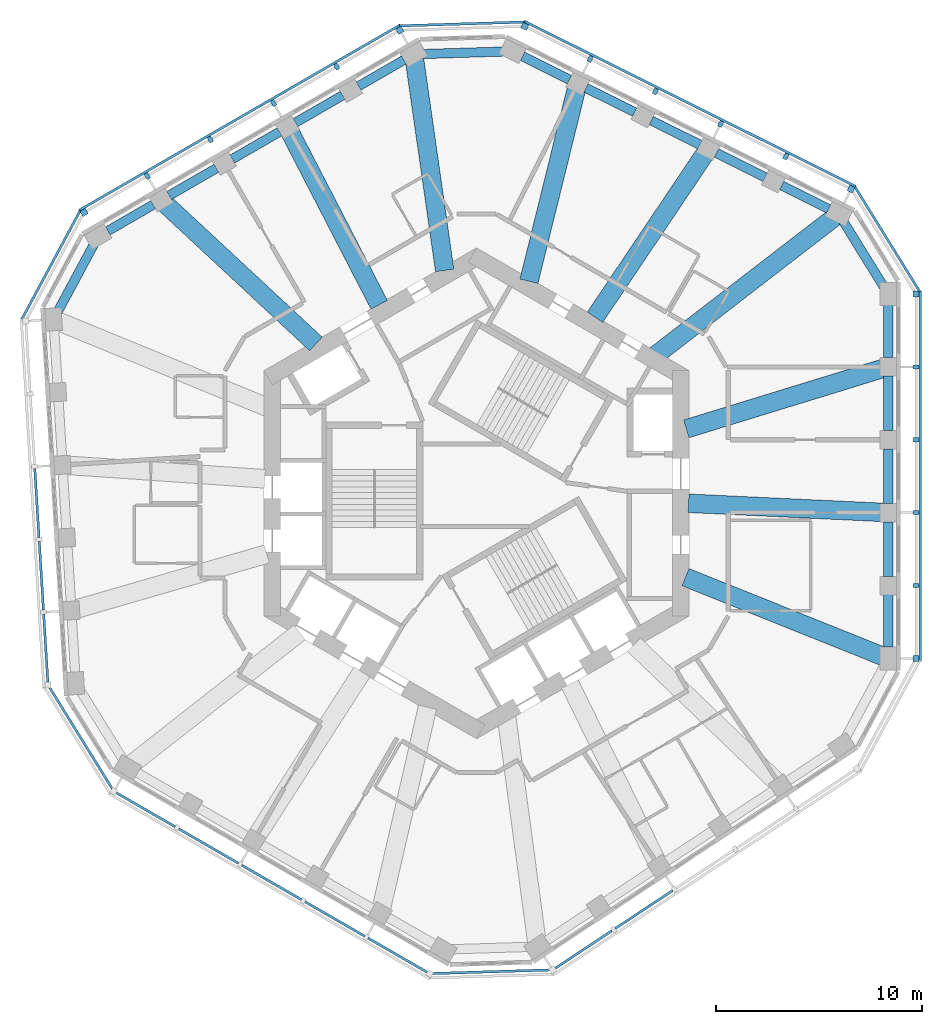
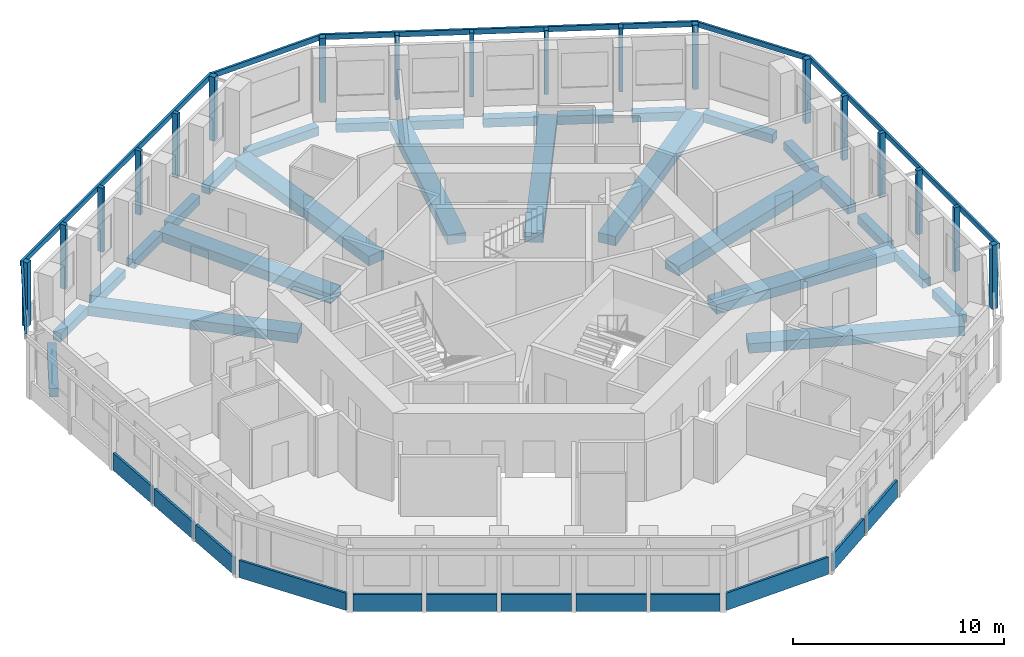
# One storey, part 2 of 11: 27 beams, 24 members, 12 plates, 11 elements without a shape of their own.
"""IFC4 building model written with IfcOpenShell, lengths in metres."""

from ifc_helpers import new_model, si_unit, direction, frame, origin, origin_2d, place, context, subcontext, project, spatial, rectangle, extrude, material, layer, layer_set, material_profile, profile_set, type_object, element, aggregate, save


model = new_model("IFC4")

# Units and contexts
model_context = context("Model", 3, precision=1e-05, world=origin(), true_north=direction((0.0, 1.0)))
body_context = subcontext(model_context, "Body", "Model", "MODEL_VIEW")
ifc_project = project(units=[si_unit("LENGTHUNIT", "METRE"), si_unit("AREAUNIT", "SQUARE_METRE"), si_unit("VOLUMEUNIT", "CUBIC_METRE"), si_unit("PLANEANGLEUNIT", "RADIAN"), si_unit("MASSUNIT", "GRAM", prefix="KILO")], contexts=[model_context])

# Site, building, storey
site_placement = place(None, origin())
site = spatial("IfcSite", under=ifc_project, at=site_placement, CompositionType="ELEMENT")
building_placement = place(site_placement, origin())
building = spatial("IfcBuilding", under=site, at=building_placement, Name="Vanh Sen Convention Tower", CompositionType="ELEMENT")
storey_placement = place(building_placement, frame((0.0, 0.0, 240.199951171875)))
storey = spatial("IfcBuildingStorey", under=building, at=storey_placement, Name="L59", CompositionType="ELEMENT", Elevation=240.199951171875)

# Curtain wall, members
ifc_material_1 = material(Name="Concrete C50/60", Category="concrete")
curtain_wall_type = type_object("IfcCurtainWallType", Name="Outer skin office zone", PredefinedType="NOTDEFINED", material=ifc_material_1)
curtain_wall_1_placement = place(storey_placement, origin())
curtain_wall_1 = element("IfcCurtainWall", 1, at=curtain_wall_1_placement, inside=storey, type_object=curtain_wall_type, Name="OUTER SKIN E L59", PredefinedType="NOTDEFINED")
ifc_material_profile_1 = material_profile(ifc_material_1, rectangle(XDim=0.300048828125, YDim=0.300048828125, at=origin_2d()), Name="Outer skin precast corner fin 300 x 300")
ifc_profile_set_1 = profile_set([ifc_material_profile_1], Name="Concrete C50/60")
member_type_1 = type_object("IfcMemberType", Name="Outer skin precast corner fin 300 x 300", PredefinedType="MULLION", material=ifc_profile_set_1)
member_1_placement = place(storey_placement, frame((21.300048828125, -8.002685546875, 0.0), z_axis=(0.0, 0.0, 1.0), x_axis=(0.0, 1.0, 0.0)))
member_1 = element("IfcMember", 2, at=member_1_placement, type_object=member_type_1, Name="OUTER SKIN CORNER FIN 1 E L59", PredefinedType="MULLION", context=body_context, shape_type="SweptSolid", body=[
    extrude(rectangle(XDim=0.300048828125, YDim=0.300048828125, at=origin_2d()), origin(), (0.0, 0.0, 1.0), 3.699951171875),
])
member_2_placement = place(storey_placement, frame((21.300048828125, 9.665283203125, 0.0), z_axis=(0.0, 0.0, 1.0), x_axis=(0.0, 1.0, 0.0)))
member_2 = element("IfcMember", 3, at=member_2_placement, type_object=member_type_1, Name="OUTER SKIN CORNER FIN 6 E L59", PredefinedType="MULLION", context=body_context, shape_type="SweptSolid", body=[
    extrude(rectangle(XDim=0.300048828125, YDim=0.300048828125, at=origin_2d()), origin(), (0.0, 0.0, 1.0), 3.699951171875),
])

curtain_wall_2_placement = place(storey_placement, origin())
curtain_wall_2 = element("IfcCurtainWall", 4, at=curtain_wall_2_placement, inside=storey, type_object=curtain_wall_type, Name="OUTER SKIN NE L59", PredefinedType="NOTDEFINED")
member_3_placement = place(storey_placement, frame((18.15380859375, 14.74951171875, 0.0), z_axis=(0.0, 0.0, 1.0), x_axis=(-0.894934361602, 0.44619781311, 0.0)))
member_3 = element("IfcMember", 5, at=member_3_placement, type_object=member_type_1, Name="OUTER SKIN CORNER FIN 1 NE L59", PredefinedType="MULLION", context=body_context, shape_type="SweptSolid", body=[
    extrude(rectangle(XDim=0.300048828125, YDim=0.300048828125, at=origin_2d()), origin(), (0.0, 0.0, 1.0), 3.699951171875),
])
member_4_placement = place(storey_placement, frame((2.342041015625, 22.633056640625, 0.0), z_axis=(0.0, 0.0, 1.0), x_axis=(-0.894934361602, 0.44619781311, 0.0)))
member_4 = element("IfcMember", 6, at=member_4_placement, type_object=member_type_1, Name="OUTER SKIN CORNER FIN 6 NE L59", PredefinedType="MULLION", context=body_context, shape_type="SweptSolid", body=[
    extrude(rectangle(XDim=0.300048828125, YDim=0.300048828125, at=origin_2d()), origin(), (0.0, 0.0, 1.0), 3.699951171875),
])

curtain_wall_3_placement = place(storey_placement, origin())
curtain_wall_3 = element("IfcCurtainWall", 7, at=curtain_wall_3_placement, inside=storey, type_object=curtain_wall_type, Name="OUTER SKIN NW L59", PredefinedType="NOTDEFINED")
member_5_placement = place(storey_placement, frame((-3.719482421875, 22.44775390625, 0.0), z_axis=(0.0, 0.0, 1.0), x_axis=(-0.866025403784, -0.5, 0.0)))
member_5 = element("IfcMember", 8, at=member_5_placement, type_object=member_type_1, Name="OUTER SKIN CORNER FIN 1 NW L59", PredefinedType="MULLION", context=body_context, shape_type="SweptSolid", body=[
    extrude(rectangle(XDim=0.300048828125, YDim=0.300048828125, at=origin_2d()), origin(), (0.0, 0.0, 1.0), 3.699951171875),
])
member_6_placement = place(storey_placement, frame((-19.0205078125, 13.613525390625, 0.0), z_axis=(0.0, 0.0, 1.0), x_axis=(-0.866025403784, -0.5, 0.0)))
member_6 = element("IfcMember", 9, at=member_6_placement, type_object=member_type_1, Name="OUTER SKIN CORNER FIN 6 NW L59", PredefinedType="MULLION", context=body_context, shape_type="SweptSolid", body=[
    extrude(rectangle(XDim=0.300048828125, YDim=0.300048828125, at=origin_2d()), origin(), (0.0, 0.0, 1.0), 3.699951171875),
])

# Member
ifc_material_profile_2 = material_profile(ifc_material_1, rectangle(XDim=0.199951171875, YDim=0.300048828125, at=origin_2d()), Name="Outer skin precast fin 200 x 300")
ifc_profile_set_2 = profile_set([ifc_material_profile_2], Name="Concrete C50/60")
member_type_2 = type_object("IfcMemberType", Name="Outer skin precast fin 200 x 300", PredefinedType="MULLION", material=ifc_profile_set_2)
member_7_placement = place(storey_placement, frame((21.300048828125, -4.46923828125, 0.0), z_axis=(0.0, 0.0, 1.0), x_axis=(0.0, 1.0, 0.0)))
member_7 = element("IfcMember", 10, at=member_7_placement, type_object=member_type_2, Name="OUTER SKIN fin 2 E L59", PredefinedType="MULLION", context=body_context, shape_type="SweptSolid", body=[
    extrude(rectangle(XDim=0.199951171875, YDim=0.300048828125, at=origin_2d()), origin(), (0.0, 0.0, 1.0), 3.699951171875),
])

member_8_placement = place(storey_placement, frame((21.300048828125, -0.935546875, 0.0), z_axis=(0.0, 0.0, 1.0), x_axis=(0.0, 1.0, 0.0)))
member_8 = element("IfcMember", 11, at=member_8_placement, type_object=member_type_2, Name="OUTER SKIN fin 3 E L59", PredefinedType="MULLION", context=body_context, shape_type="SweptSolid", body=[
    extrude(rectangle(XDim=0.199951171875, YDim=0.300048828125, at=origin_2d()), origin(), (0.0, 0.0, 1.0), 3.699951171875),
])

member_9_placement = place(storey_placement, frame((21.300048828125, 2.59814453125, 0.0), z_axis=(0.0, 0.0, 1.0), x_axis=(0.0, 1.0, 0.0)))
member_9 = element("IfcMember", 12, at=member_9_placement, type_object=member_type_2, Name="OUTER SKIN fin 4 E L59", PredefinedType="MULLION", context=body_context, shape_type="SweptSolid", body=[
    extrude(rectangle(XDim=0.199951171875, YDim=0.300048828125, at=origin_2d()), origin(), (0.0, 0.0, 1.0), 3.699951171875),
])

member_10_placement = place(storey_placement, frame((21.300048828125, 6.131591796875, 0.0), z_axis=(0.0, 0.0, 1.0), x_axis=(0.0, 1.0, 0.0)))
member_10 = element("IfcMember", 13, at=member_10_placement, type_object=member_type_2, Name="OUTER SKIN fin 5 E L59", PredefinedType="MULLION", context=body_context, shape_type="SweptSolid", body=[
    extrude(rectangle(XDim=0.199951171875, YDim=0.300048828125, at=origin_2d()), origin(), (0.0, 0.0, 1.0), 3.699951171875),
])

member_11_placement = place(storey_placement, frame((14.99169921875, 16.326171875, 0.0), z_axis=(0.0, 0.0, 1.0), x_axis=(-0.894934361602, 0.44619781311, 0.0)))
member_11 = element("IfcMember", 14, at=member_11_placement, type_object=member_type_2, Name="OUTER SKIN fin 2 NE L59", PredefinedType="MULLION", context=body_context, shape_type="SweptSolid", body=[
    extrude(rectangle(XDim=0.199951171875, YDim=0.300048828125, at=origin_2d()), origin(), (0.0, 0.0, 1.0), 3.699951171875),
])

member_12_placement = place(storey_placement, frame((11.8291015625, 17.90283203125, 0.0), z_axis=(0.0, 0.0, 1.0), x_axis=(-0.894934361602, 0.44619781311, 0.0)))
member_12 = element("IfcMember", 15, at=member_12_placement, type_object=member_type_2, Name="OUTER SKIN fin 3 NE L59", PredefinedType="MULLION", context=body_context, shape_type="SweptSolid", body=[
    extrude(rectangle(XDim=0.199951171875, YDim=0.300048828125, at=origin_2d()), origin(), (0.0, 0.0, 1.0), 3.699951171875),
])

member_13_placement = place(storey_placement, frame((8.666748046875, 19.4794921875, 0.0), z_axis=(0.0, 0.0, 1.0), x_axis=(-0.894934361602, 0.44619781311, 0.0)))
member_13 = element("IfcMember", 16, at=member_13_placement, type_object=member_type_2, Name="OUTER SKIN fin 4 NE L59", PredefinedType="MULLION", context=body_context, shape_type="SweptSolid", body=[
    extrude(rectangle(XDim=0.199951171875, YDim=0.300048828125, at=origin_2d()), origin(), (0.0, 0.0, 1.0), 3.699951171875),
])

member_14_placement = place(storey_placement, frame((5.50439453125, 21.056396484375, 0.0), z_axis=(0.0, 0.0, 1.0), x_axis=(-0.894934361602, 0.44619781311, 0.0)))
member_14 = element("IfcMember", 17, at=member_14_placement, type_object=member_type_2, Name="OUTER SKIN fin 5 NE L59", PredefinedType="MULLION", context=body_context, shape_type="SweptSolid", body=[
    extrude(rectangle(XDim=0.199951171875, YDim=0.300048828125, at=origin_2d()), origin(), (0.0, 0.0, 1.0), 3.699951171875),
])

member_15_placement = place(storey_placement, frame((-6.779541015625, 20.680908203125, 0.0), z_axis=(0.0, 0.0, 1.0), x_axis=(-0.866025403784, -0.5, 0.0)))
member_15 = element("IfcMember", 18, at=member_15_placement, type_object=member_type_2, Name="OUTER SKIN fin 2 NW L59", PredefinedType="MULLION", context=body_context, shape_type="SweptSolid", body=[
    extrude(rectangle(XDim=0.199951171875, YDim=0.300048828125, at=origin_2d()), origin(), (0.0, 0.0, 1.0), 3.699951171875),
])

member_16_placement = place(storey_placement, frame((-9.83984375, 18.9140625, 0.0), z_axis=(0.0, 0.0, 1.0), x_axis=(-0.866025403784, -0.5, 0.0)))
member_16 = element("IfcMember", 19, at=member_16_placement, type_object=member_type_2, Name="OUTER SKIN fin 3 NW L59", PredefinedType="MULLION", context=body_context, shape_type="SweptSolid", body=[
    extrude(rectangle(XDim=0.199951171875, YDim=0.300048828125, at=origin_2d()), origin(), (0.0, 0.0, 1.0), 3.699951171875),
])

member_17_placement = place(storey_placement, frame((-12.89990234375, 17.147216796875, 0.0), z_axis=(0.0, 0.0, 1.0), x_axis=(-0.866025403784, -0.5, 0.0)))
member_17 = element("IfcMember", 20, at=member_17_placement, type_object=member_type_2, Name="OUTER SKIN fin 4 NW L59", PredefinedType="MULLION", context=body_context, shape_type="SweptSolid", body=[
    extrude(rectangle(XDim=0.199951171875, YDim=0.300048828125, at=origin_2d()), origin(), (0.0, 0.0, 1.0), 3.699951171875),
])

member_18_placement = place(storey_placement, frame((-15.960205078125, 15.38037109375, 0.0), z_axis=(0.0, 0.0, 1.0), x_axis=(-0.866025403784, -0.5, 0.0)))
member_18 = element("IfcMember", 21, at=member_18_placement, type_object=member_type_2, Name="OUTER SKIN fin 5 NW L59", PredefinedType="MULLION", context=body_context, shape_type="SweptSolid", body=[
    extrude(rectangle(XDim=0.199951171875, YDim=0.300048828125, at=origin_2d()), origin(), (0.0, 0.0, 1.0), 3.699951171875),
])

ifc_material_profile_3 = material_profile(ifc_material_1, rectangle(XDim=0.1201171875, YDim=0.300048828125, at=origin_2d()), Name="Outer skin precast spandrel band 300 x 120")
ifc_profile_set_3 = profile_set([ifc_material_profile_3], Name="Concrete C50/60")
member_type_3 = type_object("IfcMemberType", Name="Outer skin precast spandrel band 300 x 120", PredefinedType="USERDEFINED", material=ifc_profile_set_3)
member_19_placement = place(storey_placement, frame((21.510009765625, -8.15283203125, 3.550048828125), z_axis=(0.0, 1.0, 0.0), x_axis=(-1.0, 0.0, 0.0)))
member_19 = element("IfcMember", 22, at=member_19_placement, type_object=member_type_3, Name="OUTER SKIN spandrel band E L59", ObjectType="TRANSOM", PredefinedType="USERDEFINED", context=body_context, shape_type="SweptSolid", body=[
    extrude(rectangle(XDim=0.1201171875, YDim=0.300048828125, at=origin_2d()), origin(), (0.0, 0.0, 1.0), 17.96826171875),
])

aggregate(curtain_wall_1, [member_1, member_7, member_8, member_9, member_10, member_2, member_19])

# Curtain wall, member
curtain_wall_4_placement = place(storey_placement, origin())
curtain_wall_4 = element("IfcCurtainWall", 23, at=curtain_wall_4_placement, inside=storey, type_object=curtain_wall_type, Name="OUTER SKIN CH1 L59", PredefinedType="NOTDEFINED")
member_20_placement = place(storey_placement, frame((21.478515625, 9.77587890625, 3.550048828125), z_axis=(-0.526187318786, 0.850368688011, 0.0), x_axis=(-0.850368688011, -0.526187318786, 0.0)))
member_20 = element("IfcMember", 24, at=member_20_placement, type_object=member_type_3, Name="OUTER SKIN spandrel band CH1 L59", ObjectType="TRANSOM", PredefinedType="USERDEFINED", context=body_context, shape_type="SweptSolid", body=[
    extrude(rectangle(XDim=0.1201171875, YDim=0.300048828125, at=origin_2d()), origin(), (0.0, 0.0, 1.0), 5.978759765625),
])
aggregate(curtain_wall_4, [member_20])

# Member
member_21_placement = place(storey_placement, frame((18.3818359375, 14.87060546875, 3.550048828125), z_axis=(-0.894940208367, 0.446186086121, 0.0), x_axis=(-0.446186086121, -0.894940208367, 0.0)))
member_21 = element("IfcMember", 25, at=member_21_placement, type_object=member_type_3, Name="OUTER SKIN spandrel band NE L59", ObjectType="TRANSOM", PredefinedType="USERDEFINED", context=body_context, shape_type="SweptSolid", body=[
    extrude(rectangle(XDim=0.1201171875, YDim=0.300048828125, at=origin_2d()), origin(), (0.0, 0.0, 1.0), 17.968017578125),
])

aggregate(curtain_wall_2, [member_3, member_11, member_12, member_13, member_14, member_4, member_21])

# Curtain wall, member
curtain_wall_5_placement = place(storey_placement, origin())
curtain_wall_5 = element("IfcCurtainWall", 26, at=curtain_wall_5_placement, inside=storey, type_object=curtain_wall_type, Name="OUTER SKIN CH2 L59", PredefinedType="NOTDEFINED")
member_22_placement = place(storey_placement, frame((2.335693359375, 22.843017578125, 3.550048828125), z_axis=(-0.999533054911, -0.030556049165, 0.0), x_axis=(0.030556049165, -0.999533054911, 0.0)))
member_22 = element("IfcMember", 27, at=member_22_placement, type_object=member_type_3, Name="OUTER SKIN spandrel band CH2 L59", ObjectType="TRANSOM", PredefinedType="USERDEFINED", context=body_context, shape_type="SweptSolid", body=[
    extrude(rectangle(XDim=0.1201171875, YDim=0.300048828125, at=origin_2d()), origin(), (0.0, 0.0, 1.0), 6.064453125),
])
aggregate(curtain_wall_5, [member_22])

# Member
member_23_placement = place(storey_placement, frame((-3.694580078125, 22.70458984375, 3.550048828125), z_axis=(-0.866022898019, -0.500004340088, 0.0), x_axis=(0.500004340088, -0.866022898019, 0.0)))
member_23 = element("IfcMember", 28, at=member_23_placement, type_object=member_type_3, Name="OUTER SKIN spandrel band NW L59", ObjectType="TRANSOM", PredefinedType="USERDEFINED", context=body_context, shape_type="SweptSolid", body=[
    extrude(rectangle(XDim=0.1201171875, YDim=0.300048828125, at=origin_2d()), origin(), (0.0, 0.0, 1.0), 17.968017578125),
])

aggregate(curtain_wall_3, [member_5, member_15, member_16, member_17, member_18, member_6, member_23])

# Curtain wall, member
curtain_wall_6_placement = place(storey_placement, origin())
curtain_wall_6 = element("IfcCurtainWall", 29, at=curtain_wall_6_placement, inside=storey, type_object=curtain_wall_type, Name="OUTER SKIN CH3 L59", PredefinedType="NOTDEFINED")
member_24_placement = place(storey_placement, frame((-19.20556640625, 13.712890625, 3.550048828125), z_axis=(-0.473317965247, -0.880891652688, 0.0), x_axis=(0.880891652688, -0.473317965247, 0.0)))
member_24 = element("IfcMember", 30, at=member_24_placement, type_object=member_type_3, Name="OUTER SKIN spandrel band CH3 L59", ObjectType="TRANSOM", PredefinedType="USERDEFINED", context=body_context, shape_type="SweptSolid", body=[
    extrude(rectangle(XDim=0.1201171875, YDim=0.300048828125, at=origin_2d()), origin(), (0.0, 0.0, 1.0), 5.978759765625),
])
aggregate(curtain_wall_6, [member_24])

# Beams
ifc_material_2 = material(Name="Concrete C50/60", Category="concrete")
ifc_material_profile_4 = material_profile(ifc_material_2, rectangle(XDim=0.89990234375, YDim=0.550048828125, at=origin_2d()), Name="RC 900X550")
ifc_profile_set_4 = profile_set([ifc_material_profile_4], Name="Concrete C50/60")
beam_type_1 = type_object("IfcBeamType", Name="Radial floor beam 900 x 550", PredefinedType="BEAM", material=ifc_profile_set_4)
beam_1_placement = place(storey_placement, frame((19.72216796875, -7.911376953125, -0.554931640625), z_axis=(-0.928114670257, 0.372294451816, 0.0), x_axis=(-0.372294451816, -0.928114670257, 0.0)))
element("IfcBeam", 31, at=beam_1_placement, inside=storey, type_object=beam_type_1, Name="Radial beam 01 L59", PredefinedType="BEAM", context=body_context, shape_type="SweptSolid", body=[
    extrude(rectangle(XDim=0.89990234375, YDim=0.550048828125, at=origin_2d()), origin(), (0.0, 0.0, 1.0), 10.337646484375),
])
beam_2_placement = place(storey_placement, frame((19.944580078125, -0.935302734375, -0.554931640625), z_axis=(-0.998901717951, 0.046854646233, 0.0), x_axis=(-0.046854646233, -0.998901717951, 0.0)))
element("IfcBeam", 32, at=beam_2_placement, inside=storey, type_object=beam_type_1, Name="Radial beam 02 L59", PredefinedType="BEAM", context=body_context, shape_type="SweptSolid", body=[
    extrude(rectangle(XDim=0.89990234375, YDim=0.550048828125, at=origin_2d()), origin(), (0.0, 0.0, 1.0), 9.681396484375),
])
beam_3_placement = place(storey_placement, frame((19.89013671875, 6.11328125, -0.554931640625), z_axis=(-0.955867150523, -0.293799235111, 0.0), x_axis=(0.293799235111, -0.955867150523, 0.0)))
element("IfcBeam", 33, at=beam_3_placement, inside=storey, type_object=beam_type_1, Name="Radial beam 03 L59", PredefinedType="BEAM", context=body_context, shape_type="SweptSolid", body=[
    extrude(rectangle(XDim=0.89990234375, YDim=0.550048828125, at=origin_2d()), origin(), (0.0, 0.0, 1.0), 10.17626953125),
])
beam_4_placement = place(storey_placement, frame((17.376220703125, 13.406005859375, -0.554931640625), z_axis=(-0.79175189304, -0.610842811096, 0.0), x_axis=(0.610842811096, -0.79175189304, 0.0)))
element("IfcBeam", 34, at=beam_4_placement, inside=storey, type_object=beam_type_1, Name="Radial beam 04 L59", PredefinedType="BEAM", context=body_context, shape_type="SweptSolid", body=[
    extrude(rectangle(XDim=0.89990234375, YDim=0.550048828125, at=origin_2d()), origin(), (0.0, 0.0, 1.0), 11.0),
])
beam_5_placement = place(storey_placement, frame((11.21337890625, 16.6748046875, -0.554931640625), z_axis=(-0.558028035839, -0.829822096125, 0.0), x_axis=(0.829822096125, -0.558028035839, 0.0)))
element("IfcBeam", 35, at=beam_5_placement, inside=storey, type_object=beam_type_1, Name="Radial beam 05 L59", PredefinedType="BEAM", context=body_context, shape_type="SweptSolid", body=[
    extrude(rectangle(XDim=0.89990234375, YDim=0.550048828125, at=origin_2d()), origin(), (0.0, 0.0, 1.0), 9.80615234375),
])
beam_6_placement = place(storey_placement, frame((4.891357421875, 19.8046875, -0.554931640625), z_axis=(-0.239789122055, -0.970824998104, 0.0), x_axis=(0.970824998104, -0.239789122055, 0.0)))
element("IfcBeam", 36, at=beam_6_placement, inside=storey, type_object=beam_type_1, Name="Radial beam 06 L59", PredefinedType="BEAM", context=body_context, shape_type="SweptSolid", body=[
    extrude(rectangle(XDim=0.89990234375, YDim=0.550048828125, at=origin_2d()), origin(), (0.0, 0.0, 1.0), 9.81298828125),
])
beam_7_placement = place(storey_placement, frame((-3.009521484375, 21.03564453125, -0.554931640625), z_axis=(0.141629652846, -0.989919714641, 0.0), x_axis=(0.989919714641, 0.141629652846, 0.0)))
element("IfcBeam", 37, at=beam_7_placement, inside=storey, type_object=beam_type_1, Name="Radial beam 07 L59", PredefinedType="BEAM", context=body_context, shape_type="SweptSolid", body=[
    extrude(rectangle(XDim=0.89990234375, YDim=0.550048828125, at=origin_2d()), origin(), (0.0, 0.0, 1.0), 10.337646484375),
])
beam_8_placement = place(storey_placement, frame((-9.162353515625, 17.740234375, -0.554931640625), z_axis=(0.458886355863, -0.888494970387, 0.0), x_axis=(0.888494970387, 0.458886355863, 0.0)))
element("IfcBeam", 38, at=beam_8_placement, inside=storey, type_object=beam_type_1, Name="Radial beam 08 L59", PredefinedType="BEAM", context=body_context, shape_type="SweptSolid", body=[
    extrude(rectangle(XDim=0.89990234375, YDim=0.550048828125, at=origin_2d()), origin(), (0.0, 0.0, 1.0), 9.681396484375),
])
beam_9_placement = place(storey_placement, frame((-15.239501953125, 14.168701171875, -0.554931640625), z_axis=(0.732368678004, -0.680908304751, 0.0), x_axis=(0.680908304751, 0.732368678004, 0.0)))
element("IfcBeam", 39, at=beam_9_placement, inside=storey, type_object=beam_type_1, Name="Radial beam 09 L59", PredefinedType="BEAM", context=body_context, shape_type="SweptSolid", body=[
    extrude(rectangle(XDim=0.89990234375, YDim=0.550048828125, at=origin_2d()), origin(), (0.0, 0.0, 1.0), 10.176513671875),
])
ifc_material_profile_5 = material_profile(ifc_material_2, rectangle(XDim=0.449951171875, YDim=0.5, at=origin_2d()), Name="RC 450X500")
ifc_profile_set_5 = profile_set([ifc_material_profile_5], Name="Concrete C50/60")
beam_type_2 = type_object("IfcBeamType", Name="Spandrel beam 450 x 500", PredefinedType="SPANDREL", material=ifc_profile_set_5)
beam_10_placement = place(storey_placement, frame((19.949951171875, -7.457763671875, -0.530029296875), z_axis=(0.0, 1.0, 0.0), x_axis=(-1.0, 0.0, 0.0)))
element("IfcBeam", 40, at=beam_10_placement, inside=storey, type_object=beam_type_2, Name="Spandrel beam 01 L59", PredefinedType="SPANDREL", context=body_context, shape_type="SweptSolid", body=[
    extrude(rectangle(XDim=0.449951171875, YDim=0.5, at=origin_2d()), origin(), (0.0, 0.0, 1.0), 2.54345703125),
])
for number, where, z_axis, x_axis, name in (
    (41, (19.949951171875, -4.024169921875, -0.530029296875), (0.0, 1.0, 0.0), (-1.0, 0.0, 0.0), "Spandrel beam 02 L59"),
    (42, (19.949951171875, -0.490478515625, -0.530029296875), (0.0, 1.0, 0.0), (-1.0, 0.0, 0.0), "Spandrel beam 03 L59"),
    (43, (19.949951171875, 3.043212890625, -0.530029296875), (0.0, 1.0, 0.0), (-1.0, 0.0, 0.0), "Spandrel beam 04 L59"),
):
    element("IfcBeam", number, at=place(storey_placement, frame(where, z_axis=z_axis, x_axis=x_axis)), inside=storey, type_object=beam_type_2, Name=name, PredefinedType="SPANDREL", context=body_context, shape_type="SweptSolid", body=[
        extrude(rectangle(XDim=0.449951171875, YDim=0.5, at=origin_2d()), origin(), (0.0, 0.0, 1.0), 2.6435546875),
    ])
beam_11_placement = place(storey_placement, frame((19.949951171875, 6.57666015625, -0.530029296875), z_axis=(0.0, 1.0, 0.0), x_axis=(-1.0, 0.0, 0.0)))
element("IfcBeam", 44, at=beam_11_placement, inside=storey, type_object=beam_type_2, Name="Spandrel beam 05 L59", PredefinedType="SPANDREL", context=body_context, shape_type="SweptSolid", body=[
    extrude(rectangle(XDim=0.449951171875, YDim=0.5, at=origin_2d()), origin(), (0.0, 0.0, 1.0), 2.543701171875),
])
beam_12_placement = place(storey_placement, frame((19.743896484375, 9.998291015625, -0.530029296875), z_axis=(-0.526203201027, 0.850358860264, 0.0), x_axis=(-0.850358860264, -0.526203201027, 0.0)))
element("IfcBeam", 45, at=beam_12_placement, inside=storey, type_object=beam_type_2, Name="Spandrel beam 06 L59", PredefinedType="SPANDREL", context=body_context, shape_type="SweptSolid", body=[
    extrude(rectangle(XDim=0.449951171875, YDim=0.5, at=origin_2d()), origin(), (0.0, 0.0, 1.0), 3.77490234375),
])
beam_13_placement = place(storey_placement, frame((17.063720703125, 13.784423828125, -0.530029296875), z_axis=(-0.894925734573, 0.446215115834, 0.0), x_axis=(-0.446215115834, -0.894925734573, 0.0)))
element("IfcBeam", 46, at=beam_13_placement, inside=storey, type_object=beam_type_2, Name="Spandrel beam 07 L59", PredefinedType="SPANDREL", context=body_context, shape_type="SweptSolid", body=[
    extrude(rectangle(XDim=0.449951171875, YDim=0.5, at=origin_2d()), origin(), (0.0, 0.0, 1.0), 2.543701171875),
])
for number, where, z_axis, x_axis, name in (
    (47, (13.990966796875, 15.31640625, -0.530029296875), (-0.894925303477, 0.446215980436, 0.0), (-0.446215980436, -0.894925303477, 0.0), "Spandrel beam 08 L59"),
    (48, (10.82861328125, 16.893310546875, -0.530029296875), (-0.894925303477, 0.446215980436, 0.0), (-0.446215980436, -0.894925303477, 0.0), "Spandrel beam 09 L59"),
    (49, (7.666259765625, 18.469970703125, -0.530029296875), (-0.894925303477, 0.446215980436, 0.0), (-0.446215980436, -0.894925303477, 0.0), "Spandrel beam 10 L59"),
):
    element("IfcBeam", number, at=place(storey_placement, frame(where, z_axis=z_axis, x_axis=x_axis)), inside=storey, type_object=beam_type_2, Name=name, PredefinedType="SPANDREL", context=body_context, shape_type="SweptSolid", body=[
        extrude(rectangle(XDim=0.449951171875, YDim=0.5, at=origin_2d()), origin(), (0.0, 0.0, 1.0), 2.643798828125),
    ])
beam_14_placement = place(storey_placement, frame((4.50390625, 20.046630859375, -0.530029296875), z_axis=(-0.894944842666, 0.44617679073, 0.0), x_axis=(-0.44617679073, -0.894944842666, 0.0)))
element("IfcBeam", 50, at=beam_14_placement, inside=storey, type_object=beam_type_2, Name="Spandrel beam 11 L59", PredefinedType="SPANDREL", context=body_context, shape_type="SweptSolid", body=[
    extrude(rectangle(XDim=0.449951171875, YDim=0.5, at=origin_2d()), origin(), (0.0, 0.0, 1.0), 2.5439453125),
])
beam_15_placement = place(storey_placement, frame((1.318603515625, 21.411865234375, -0.530029296875), z_axis=(-0.999534166839, -0.030519654667, 0.0), x_axis=(0.030519654667, -0.999534166839, 0.0)))
element("IfcBeam", 51, at=beam_15_placement, inside=storey, type_object=beam_type_2, Name="Spandrel beam 12 L59", PredefinedType="SPANDREL", context=body_context, shape_type="SweptSolid", body=[
    extrude(rectangle(XDim=0.449951171875, YDim=0.5, at=origin_2d()), origin(), (0.0, 0.0, 1.0), 3.94384765625),
])
beam_16_placement = place(storey_placement, frame((-3.516357421875, 21.006103515625, -0.530029296875), z_axis=(-0.866043336059, -0.499968939103, 0.0), x_axis=(0.499968939103, -0.866043336059, 0.0)))
element("IfcBeam", 52, at=beam_16_placement, inside=storey, type_object=beam_type_2, Name="Spandrel beam 13 L59", PredefinedType="SPANDREL", context=body_context, shape_type="SweptSolid", body=[
    extrude(rectangle(XDim=0.449951171875, YDim=0.5, at=origin_2d()), origin(), (0.0, 0.0, 1.0), 2.543701171875),
])
for number, where, z_axis, x_axis, name in (
    (53, (-6.489990234375, 19.289306640625, -0.530029296875), (-0.866017944311, -0.500012919964, 0.0), (0.500012919964, -0.866017944311, 0.0), "Spandrel beam 14 L59"),
    (54, (-9.55029296875, 17.5224609375, -0.530029296875), (-0.866017944311, -0.500012919964, 0.0), (0.500012919964, -0.866017944311, 0.0), "Spandrel beam 15 L59"),
):
    element("IfcBeam", number, at=place(storey_placement, frame(where, z_axis=z_axis, x_axis=x_axis)), inside=storey, type_object=beam_type_2, Name=name, PredefinedType="SPANDREL", context=body_context, shape_type="SweptSolid", body=[
        extrude(rectangle(XDim=0.449951171875, YDim=0.5, at=origin_2d()), origin(), (0.0, 0.0, 1.0), 2.6435546875),
    ])
beam_17_placement = place(storey_placement, frame((-12.6103515625, 15.755615234375, -0.530029296875), z_axis=(-0.866041031621, -0.499972930816, 0.0), x_axis=(0.499972930816, -0.866041031621, 0.0)))
element("IfcBeam", 55, at=beam_17_placement, inside=storey, type_object=beam_type_2, Name="Spandrel beam 16 L59", PredefinedType="SPANDREL", context=body_context, shape_type="SweptSolid", body=[
    extrude(rectangle(XDim=0.449951171875, YDim=0.5, at=origin_2d()), origin(), (0.0, 0.0, 1.0), 2.643798828125),
])
beam_18_placement = place(storey_placement, frame((-15.670654296875, 13.98876953125, -0.530029296875), z_axis=(-0.866043336059, -0.499968939103, 0.0), x_axis=(0.499968939103, -0.866043336059, 0.0)))
element("IfcBeam", 56, at=beam_18_placement, inside=storey, type_object=beam_type_2, Name="Spandrel beam 17 L59", PredefinedType="SPANDREL", context=body_context, shape_type="SweptSolid", body=[
    extrude(rectangle(XDim=0.449951171875, YDim=0.5, at=origin_2d()), origin(), (0.0, 0.0, 1.0), 2.543701171875),
])
beam_19_placement = place(storey_placement, frame((-18.53076171875, 12.099609375, -0.530029296875), z_axis=(-0.473305113601, -0.880898557973, 0.0), x_axis=(0.880898557973, -0.473305113601, 0.0)))
element("IfcBeam", 57, at=beam_19_placement, inside=storey, type_object=beam_type_2, Name="Spandrel beam 18 L59", PredefinedType="SPANDREL", context=body_context, shape_type="SweptSolid", body=[
    extrude(rectangle(XDim=0.449951171875, YDim=0.5, at=origin_2d()), origin(), (0.0, 0.0, 1.0), 3.774658203125),
])

# Curtain wall, plates
curtain_wall_7_placement = place(storey_placement, origin())
curtain_wall_7 = element("IfcCurtainWall", 58, at=curtain_wall_7_placement, inside=storey, type_object=curtain_wall_type, Name="OUTER SKIN W L59", PredefinedType="NOTDEFINED")
ifc_layer = layer(ifc_material_1, 0.1201171875)
ifc_layer_set = layer_set([ifc_layer], Name="Concrete C50/60")
plate_type = type_object("IfcPlateType", Name="Outer skin precast screen panel 120", PredefinedType="CURTAIN_PANEL", material=ifc_layer_set)
plate_1_placement = place(storey_placement, frame((-21.31103515625, -0.470703125, 0.0), z_axis=(0.0, 0.0, 1.0), x_axis=(0.061043313312, -0.998135118058, 0.0)))
plate_1 = element("IfcPlate", 59, at=plate_1_placement, type_object=plate_type, Name="OUTER SKIN screen panel W-3", PredefinedType="CURTAIN_PANEL", context=body_context, shape_type="SweptSolid", body=[
    extrude(rectangle(XDim=3.33349609375, YDim=0.1201171875, at=origin_2d()), origin(), (0.0, 0.0, 1.0), 1.0),
])
plate_2_placement = place(storey_placement, frame((-21.09521484375, -3.99755859375, 0.0), z_axis=(0.0, 0.0, 1.0), x_axis=(0.061043313312, -0.998135118058, 0.0)))
plate_2 = element("IfcPlate", 60, at=plate_2_placement, type_object=plate_type, Name="OUTER SKIN screen panel W-4", PredefinedType="CURTAIN_PANEL", context=body_context, shape_type="SweptSolid", body=[
    extrude(rectangle(XDim=3.33349609375, YDim=0.1201171875, at=origin_2d()), origin(), (0.0, 0.0, 1.0), 1.0),
])
plate_3_placement = place(storey_placement, frame((-20.881103515625, -7.499755859375, 0.0), z_axis=(0.0, 0.0, 1.0), x_axis=(0.061069444408, -0.998133519605, 0.0)))
plate_3 = element("IfcPlate", 61, at=plate_3_placement, type_object=plate_type, Name="OUTER SKIN screen panel W-5", PredefinedType="CURTAIN_PANEL", context=body_context, shape_type="SweptSolid", body=[
    extrude(rectangle(XDim=3.28369140625, YDim=0.1201171875, at=origin_2d()), origin(), (0.0, 0.0, 1.0), 1.0),
])
aggregate(curtain_wall_7, [plate_1, plate_2, plate_3])

# Curtain wall, plate
curtain_wall_8_placement = place(storey_placement, origin())
curtain_wall_8 = element("IfcCurtainWall", 62, at=curtain_wall_8_placement, inside=storey, type_object=curtain_wall_type, Name="OUTER SKIN CH4 L59", PredefinedType="NOTDEFINED")
plate_4_placement = place(storey_placement, frame((-19.176025390625, -11.86669921875, 0.0), z_axis=(0.0, 0.0, 1.0), x_axis=(0.526215407796, -0.850351306578, 0.0)))
plate_4 = element("IfcPlate", 63, at=plate_4_placement, type_object=plate_type, Name="OUTER SKIN screen panel CH4-1", PredefinedType="CURTAIN_PANEL", context=body_context, shape_type="SweptSolid", body=[
    extrude(rectangle(XDim=5.76416015625, YDim=0.1201171875, at=origin_2d()), origin(), (0.0, 0.0, 1.0), 1.0),
])
aggregate(curtain_wall_8, [plate_4])

# Curtain wall, plates
curtain_wall_9_placement = place(storey_placement, origin())
curtain_wall_9 = element("IfcCurtainWall", 64, at=curtain_wall_9_placement, inside=storey, type_object=curtain_wall_type, Name="OUTER SKIN SW L59", PredefinedType="NOTDEFINED")
plate_5_placement = place(storey_placement, frame((-16.02880859375, -15.3408203125, 0.0), z_axis=(0.0, 0.0, 1.0), x_axis=(0.866026276448, -0.4999984885, 0.0)))
plate_5 = element("IfcPlate", 65, at=plate_5_placement, type_object=plate_type, Name="OUTER SKIN screen panel SW-1", PredefinedType="CURTAIN_PANEL", context=body_context, shape_type="SweptSolid", body=[
    extrude(rectangle(XDim=3.28369140625, YDim=0.1201171875, at=origin_2d()), origin(), (0.0, 0.0, 1.0), 1.0),
])
plate_6_placement = place(storey_placement, frame((-12.990234375, -17.09521484375, 0.0), z_axis=(0.0, 0.0, 1.0), x_axis=(0.866026276448, -0.4999984885, 0.0)))
plate_6 = element("IfcPlate", 66, at=plate_6_placement, type_object=plate_type, Name="OUTER SKIN screen panel SW-2", PredefinedType="CURTAIN_PANEL", context=body_context, shape_type="SweptSolid", body=[
    extrude(rectangle(XDim=3.33349609375, YDim=0.1201171875, at=origin_2d()), origin(), (0.0, 0.0, 1.0), 1.0),
])
plate_7_placement = place(storey_placement, frame((-9.93017578125, -18.862060546875, 0.0), z_axis=(0.0, 0.0, 1.0), x_axis=(0.866014058921, -0.500019649364, 0.0)))
plate_7 = element("IfcPlate", 67, at=plate_7_placement, type_object=plate_type, Name="OUTER SKIN screen panel SW-3", PredefinedType="CURTAIN_PANEL", context=body_context, shape_type="SweptSolid", body=[
    extrude(rectangle(XDim=3.333740234375, YDim=0.1201171875, at=origin_2d()), origin(), (0.0, 0.0, 1.0), 1.0),
])
plate_8_placement = place(storey_placement, frame((-6.869873046875, -20.62890625, 0.0), z_axis=(0.0, 0.0, 1.0), x_axis=(0.866026276448, -0.4999984885, 0.0)))
plate_8 = element("IfcPlate", 68, at=plate_8_placement, type_object=plate_type, Name="OUTER SKIN screen panel SW-4", PredefinedType="CURTAIN_PANEL", context=body_context, shape_type="SweptSolid", body=[
    extrude(rectangle(XDim=3.33349609375, YDim=0.1201171875, at=origin_2d()), origin(), (0.0, 0.0, 1.0), 1.0),
])
plate_9_placement = place(storey_placement, frame((-3.831298828125, -22.383056640625, 0.0), z_axis=(0.0, 0.0, 1.0), x_axis=(0.866033257659, -0.499986396443, 0.0)))
plate_9 = element("IfcPlate", 69, at=plate_9_placement, type_object=plate_type, Name="OUTER SKIN screen panel SW-5", PredefinedType="CURTAIN_PANEL", context=body_context, shape_type="SweptSolid", body=[
    extrude(rectangle(XDim=3.28369140625, YDim=0.1201171875, at=origin_2d()), origin(), (0.0, 0.0, 1.0), 1.0),
])
aggregate(curtain_wall_9, [plate_5, plate_6, plate_7, plate_8, plate_9])

# Curtain wall, plate
curtain_wall_10_placement = place(storey_placement, origin())
curtain_wall_10 = element("IfcCurtainWall", 70, at=curtain_wall_10_placement, inside=storey, type_object=curtain_wall_type, Name="OUTER SKIN CH5 L59", PredefinedType="NOTDEFINED")
plate_10_placement = place(storey_placement, frame((0.70849609375, -23.187744140625, 0.0), z_axis=(0.0, 0.0, 1.0), x_axis=(0.999533537535, 0.030540257725, 0.0)))
plate_10 = element("IfcPlate", 71, at=plate_10_placement, type_object=plate_type, Name="OUTER SKIN screen panel CH5-1", PredefinedType="CURTAIN_PANEL", context=body_context, shape_type="SweptSolid", body=[
    extrude(rectangle(XDim=5.6787109375, YDim=0.1201171875, at=origin_2d()), origin(), (0.0, 0.0, 1.0), 1.0),
])
aggregate(curtain_wall_10, [plate_10])

# Curtain wall, plates
curtain_wall_11_placement = place(storey_placement, origin())
curtain_wall_11 = element("IfcCurtainWall", 72, at=curtain_wall_11_placement, inside=storey, type_object=curtain_wall_type, Name="OUTER SKIN SE L59", PredefinedType="NOTDEFINED")
plate_11_placement = place(storey_placement, frame((5.190673828125, -22.107421875, 0.0), z_axis=(0.0, 0.0, 1.0), x_axis=(0.833896418343, 0.551920975752, 0.0)))
plate_11 = element("IfcPlate", 73, at=plate_11_placement, type_object=plate_type, Name="OUTER SKIN screen panel SE-1", PredefinedType="CURTAIN_PANEL", context=body_context, shape_type="SweptSolid", body=[
    extrude(rectangle(XDim=3.28369140625, YDim=0.1201171875, at=origin_2d()), origin(), (0.0, 0.0, 1.0), 1.0),
])
plate_12_placement = place(storey_placement, frame((8.116455078125, -20.1708984375, 0.0), z_axis=(0.0, 0.0, 1.0), x_axis=(0.833874262143, 0.551954450055, 0.0)))
plate_12 = element("IfcPlate", 74, at=plate_12_placement, type_object=plate_type, Name="OUTER SKIN screen panel SE-2", PredefinedType="CURTAIN_PANEL", context=body_context, shape_type="SweptSolid", body=[
    extrude(rectangle(XDim=3.33349609375, YDim=0.1201171875, at=origin_2d()), origin(), (0.0, 0.0, 1.0), 1.0),
])
aggregate(curtain_wall_11, [plate_11, plate_12])

save(model, "model.ifc")
